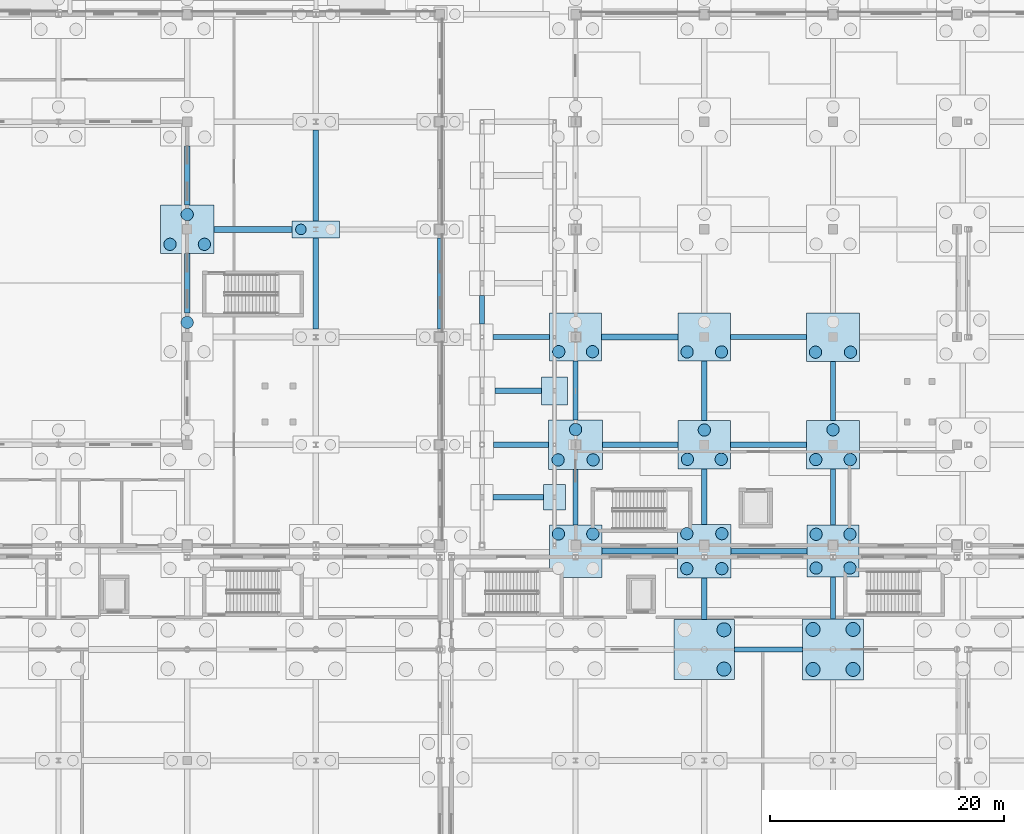
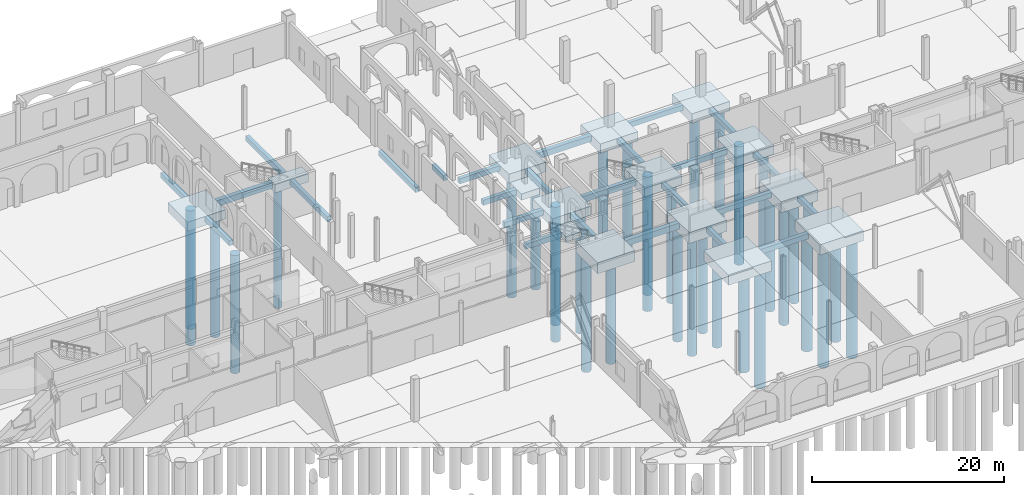
# One storey, part 8 of 83: 41 footings, 36 piles.
"""IFC4 building model written with IfcOpenShell, lengths in metres."""

from ifc_helpers import new_model, si_unit, direction, frame, origin, origin_2d, place, context, subcontext, project, spatial, polyline, circle, outline, extrude, material, material_profile, profile_set, type_object, element, save


model = new_model("IFC4")

# Units and contexts
model_context = context("Model", 3, precision=1e-05, world=origin(), true_north=direction((0.0, 1.0)))
body_context = subcontext(model_context, "Body", "Model", "MODEL_VIEW")
ifc_project = project(units=[si_unit("LENGTHUNIT", "METRE"), si_unit("AREAUNIT", "SQUARE_METRE"), si_unit("VOLUMEUNIT", "CUBIC_METRE"), si_unit("PLANEANGLEUNIT", "RADIAN"), si_unit("MASSUNIT", "GRAM", prefix="KILO")], contexts=[model_context])

# Site, building, storey
site_placement = place(None, origin())
site = spatial("IfcSite", under=ifc_project, at=site_placement, CompositionType="ELEMENT")
building_placement = place(site_placement, origin())
building = spatial("IfcBuilding", under=site, at=building_placement, Name="Caurita Quay Ferry Terminal", CompositionType="ELEMENT")
storey_placement = place(building_placement, origin())
storey = spatial("IfcBuildingStorey", under=building, at=storey_placement, Name="L00", CompositionType="ELEMENT", Elevation=0.0)

# Footings
ifc_material = material(Name="Marine reinforced concrete C40/50", Category="concrete")
footing_type_1 = type_object("IfcFootingType", Name="FTG-BM-01", PredefinedType="FOOTING_BEAM", material=ifc_material)
footing_1_placement = place(storey_placement, frame((0.0, 0.0, -1.14990234375)))
element("IfcFooting", 1, at=footing_1_placement, inside=storey, type_object=footing_type_1, Name="Seismic Tie Footing Beam FB-X-099", PredefinedType="FOOTING_BEAM", context=body_context, shape_type="SweptSolid", body=[
    extrude(outline(polyline([(101.449951171875, 70.85009765625), (107.925048828125, 70.85009765625), (107.925048828125, 71.35009765625), (101.449951171875, 71.35009765625), (101.449951171875, 70.85009765625)])), origin(), (0.0, 0.0, 1.0), 0.75),
])
footing_2_placement = place(storey_placement, frame((0.0, 0.0, -1.14990234375)))
element("IfcFooting", 2, at=footing_2_placement, inside=storey, type_object=footing_type_1, Name="Seismic Tie Footing Beam FB-X-117", PredefinedType="FOOTING_BEAM", context=body_context, shape_type="SweptSolid", body=[
    extrude(outline(polyline([(101.5, 79.949951171875), (107.949951171875, 79.949951171875), (107.949951171875, 80.449951171875), (101.5, 80.449951171875), (101.5, 79.949951171875)])), origin(), (0.0, 0.0, 1.0), 0.75),
])
footing_3_placement = place(storey_placement, frame((0.0, 0.0, -1.14990234375)))
element("IfcFooting", 3, at=footing_3_placement, inside=storey, type_object=footing_type_1, Name="Seismic Tie Footing Beam FB-X-131", PredefinedType="FOOTING_BEAM", context=body_context, shape_type="SweptSolid", body=[
    extrude(outline(polyline([(101.425048828125, 89.14990234375), (107.949951171875, 89.14990234375), (107.949951171875, 89.64990234375), (101.425048828125, 89.64990234375), (101.425048828125, 89.14990234375)])), origin(), (0.0, 0.0, 1.0), 0.75),
])
footing_4_placement = place(storey_placement, frame((0.0, 0.0, -1.14990234375)))
element("IfcFooting", 4, at=footing_4_placement, inside=storey, type_object=footing_type_1, Name="Seismic Tie Footing Beam FB-X-141", PredefinedType="FOOTING_BEAM", context=body_context, shape_type="SweptSolid", body=[
    extrude(outline(polyline([(68.27490234375, 98.35009765625), (74.97509765625, 98.35009765625), (74.97509765625, 98.85009765625), (68.27490234375, 98.85009765625), (68.27490234375, 98.35009765625)])), origin(), (0.0, 0.0, 1.0), 0.75),
])
footing_type_2 = type_object("IfcFootingType", Name="FTG-BM-02", PredefinedType="FOOTING_BEAM", material=ifc_material)
footing_5_placement = place(storey_placement, frame((0.0, 0.0, -1.050048828125)))
element("IfcFooting", 5, at=footing_5_placement, inside=storey, type_object=footing_type_2, Name="Seismic Tie Footing Beam FB-X-084", PredefinedType="FOOTING_BEAM", context=body_context, shape_type="SweptSolid", body=[
    extrude(outline(polyline([(112.77490234375, 62.47509765625), (118.60009765625, 62.47509765625), (118.60009765625, 62.925048828125), (112.77490234375, 62.925048828125), (112.77490234375, 62.47509765625)])), origin(), (0.0, 0.0, 1.0), 0.650146484375),
])
footing_6_placement = place(storey_placement, frame((0.0, 0.0, -1.050048828125)))
element("IfcFooting", 6, at=footing_6_placement, inside=storey, type_object=footing_type_2, Name="Seismic Tie Footing Beam FB-X-100", PredefinedType="FOOTING_BEAM", context=body_context, shape_type="SweptSolid", body=[
    extrude(outline(polyline([(112.47509765625, 70.875), (118.97509765625, 70.875), (118.97509765625, 71.324951171875), (112.47509765625, 71.324951171875), (112.47509765625, 70.875)])), origin(), (0.0, 0.0, 1.0), 0.650146484375),
])
footing_7_placement = place(storey_placement, frame((0.0, 0.0, -1.050048828125)))
element("IfcFooting", 7, at=footing_7_placement, inside=storey, type_object=footing_type_2, Name="Seismic Tie Footing Beam FB-X-106", PredefinedType="FOOTING_BEAM", context=body_context, shape_type="SweptSolid", body=[
    extrude(outline(polyline([(92.14990234375, 75.47509765625), (96.449951171875, 75.47509765625), (96.449951171875, 75.925048828125), (92.14990234375, 75.925048828125), (92.14990234375, 75.47509765625)])), origin(), (0.0, 0.0, 1.0), 0.650146484375),
])
footing_8_placement = place(storey_placement, frame((0.0, 0.0, -1.050048828125)))
element("IfcFooting", 8, at=footing_8_placement, inside=storey, type_object=footing_type_2, Name="Seismic Tie Footing Beam FB-X-116", PredefinedType="FOOTING_BEAM", context=body_context, shape_type="SweptSolid", body=[
    extrude(outline(polyline([(92.199951171875, 79.97509765625), (96.89990234375, 79.97509765625), (96.89990234375, 80.425048828125), (92.199951171875, 80.425048828125), (92.199951171875, 79.97509765625)])), origin(), (0.0, 0.0, 1.0), 0.650146484375),
])
footing_9_placement = place(storey_placement, frame((0.0, 0.0, -1.050048828125)))
element("IfcFooting", 9, at=footing_9_placement, inside=storey, type_object=footing_type_2, Name="Seismic Tie Footing Beam FB-X-118", PredefinedType="FOOTING_BEAM", context=body_context, shape_type="SweptSolid", body=[
    extrude(outline(polyline([(112.449951171875, 79.97509765625), (118.925048828125, 79.97509765625), (118.925048828125, 80.425048828125), (112.449951171875, 80.425048828125), (112.449951171875, 79.97509765625)])), origin(), (0.0, 0.0, 1.0), 0.650146484375),
])
footing_10_placement = place(storey_placement, frame((0.0, 0.0, -1.050048828125)))
element("IfcFooting", 10, at=footing_10_placement, inside=storey, type_object=footing_type_2, Name="Seismic Tie Footing Beam FB-X-124", PredefinedType="FOOTING_BEAM", context=body_context, shape_type="SweptSolid", body=[
    extrude(outline(polyline([(92.300048828125, 84.574951171875), (96.300048828125, 84.574951171875), (96.300048828125, 85.02490234375), (92.300048828125, 85.02490234375), (92.300048828125, 84.574951171875)])), origin(), (0.0, 0.0, 1.0), 0.650146484375),
])
footing_11_placement = place(storey_placement, frame((0.0, 0.0, -1.050048828125)))
element("IfcFooting", 11, at=footing_11_placement, inside=storey, type_object=footing_type_2, Name="Seismic Tie Footing Beam FB-X-130", PredefinedType="FOOTING_BEAM", context=body_context, shape_type="SweptSolid", body=[
    extrude(outline(polyline([(92.14990234375, 89.175048828125), (96.97509765625, 89.175048828125), (96.97509765625, 89.625), (92.14990234375, 89.625), (92.14990234375, 89.175048828125)])), origin(), (0.0, 0.0, 1.0), 0.650146484375),
])
footing_12_placement = place(storey_placement, frame((0.0, 0.0, -1.050048828125)))
element("IfcFooting", 12, at=footing_12_placement, inside=storey, type_object=footing_type_2, Name="Seismic Tie Footing Beam FB-X-132", PredefinedType="FOOTING_BEAM", context=body_context, shape_type="SweptSolid", body=[
    extrude(outline(polyline([(112.449951171875, 89.175048828125), (118.925048828125, 89.175048828125), (118.925048828125, 89.625), (112.449951171875, 89.625), (112.449951171875, 89.175048828125)])), origin(), (0.0, 0.0, 1.0), 0.650146484375),
])
footing_13_placement = place(storey_placement, frame((0.0, 0.0, -1.050048828125)))
element("IfcFooting", 13, at=footing_13_placement, inside=storey, type_object=footing_type_2, Name="Seismic Tie Footing Beam FB-Y-248", PredefinedType="FOOTING_BEAM", context=body_context, shape_type="SweptSolid", body=[
    extrude(outline(polyline([(65.77490234375, 91.449951171875), (66.22509765625, 91.449951171875), (66.22509765625, 96.52490234375), (65.77490234375, 96.52490234375), (65.77490234375, 91.449951171875)])), origin(), (0.0, 0.0, 1.0), 0.650146484375),
])
footing_14_placement = place(storey_placement, frame((0.0, 0.0, -1.050048828125)))
element("IfcFooting", 14, at=footing_14_placement, inside=storey, type_object=footing_type_2, Name="Seismic Tie Footing Beam FB-Y-249", PredefinedType="FOOTING_BEAM", context=body_context, shape_type="SweptSolid", body=[
    extrude(outline(polyline([(65.77490234375, 100.675048828125), (66.22509765625, 100.675048828125), (66.22509765625, 105.72509765625), (65.77490234375, 105.72509765625), (65.77490234375, 100.675048828125)])), origin(), (0.0, 0.0, 1.0), 0.650146484375),
])
footing_15_placement = place(storey_placement, frame((0.0, 0.0, -1.050048828125)))
element("IfcFooting", 15, at=footing_15_placement, inside=storey, type_object=footing_type_2, Name="Seismic Tie Footing Beam FB-Y-259", PredefinedType="FOOTING_BEAM", context=body_context, shape_type="SweptSolid", body=[
    extrude(outline(polyline([(76.77490234375, 90.10009765625), (77.22509765625, 90.10009765625), (77.22509765625, 97.875), (76.77490234375, 97.875), (76.77490234375, 90.10009765625)])), origin(), (0.0, 0.0, 1.0), 0.650146484375),
])
footing_16_placement = place(storey_placement, frame((0.0, 0.0, -1.050048828125)))
element("IfcFooting", 16, at=footing_16_placement, inside=storey, type_object=footing_type_2, Name="Seismic Tie Footing Beam FB-Y-260", PredefinedType="FOOTING_BEAM", context=body_context, shape_type="SweptSolid", body=[
    extrude(outline(polyline([(76.77490234375, 99.324951171875), (77.22509765625, 99.324951171875), (77.22509765625, 107.10009765625), (76.77490234375, 107.10009765625), (76.77490234375, 99.324951171875)])), origin(), (0.0, 0.0, 1.0), 0.650146484375),
])
footing_17_placement = place(storey_placement, frame((0.0, 0.0, -1.050048828125)))
element("IfcFooting", 17, at=footing_17_placement, inside=storey, type_object=footing_type_2, Name="Seismic Tie Footing Beam FB-Y-268", PredefinedType="FOOTING_BEAM", context=body_context, shape_type="SweptSolid", body=[
    extrude(outline(polyline([(87.375, 90.10009765625), (87.824951171875, 90.10009765625), (87.824951171875, 97.875), (87.375, 97.875), (87.375, 90.10009765625)])), origin(), (0.0, 0.0, 1.0), 0.650146484375),
])
footing_18_placement = place(storey_placement, frame((0.0, 0.0, -1.050048828125)))
element("IfcFooting", 18, at=footing_18_placement, inside=storey, type_object=footing_type_2, Name="Seismic Tie Footing Beam FB-Y-274", PredefinedType="FOOTING_BEAM", context=body_context, shape_type="SweptSolid", body=[
    extrude(outline(polyline([(90.97509765625, 90.5), (91.425048828125, 90.5), (91.425048828125, 92.949951171875), (90.97509765625, 92.949951171875), (90.97509765625, 90.5)])), origin(), (0.0, 0.0, 1.0), 0.650146484375),
])
footing_19_placement = place(storey_placement, frame((0.0, 0.0, -1.050048828125)))
element("IfcFooting", 19, at=footing_19_placement, inside=storey, type_object=footing_type_2, Name="Seismic Tie Footing Beam FB-Y-282", PredefinedType="FOOTING_BEAM", context=body_context, shape_type="SweptSolid", body=[
    extrude(outline(polyline([(98.97509765625, 73.35009765625), (99.425048828125, 73.35009765625), (99.425048828125, 78.10009765625), (98.97509765625, 78.10009765625), (98.97509765625, 73.35009765625)])), origin(), (0.0, 0.0, 1.0), 0.650146484375),
])
footing_20_placement = place(storey_placement, frame((0.0, 0.0, -1.050048828125)))
element("IfcFooting", 20, at=footing_20_placement, inside=storey, type_object=footing_type_2, Name="Seismic Tie Footing Beam FB-Y-283", PredefinedType="FOOTING_BEAM", context=body_context, shape_type="SweptSolid", body=[
    extrude(outline(polyline([(98.97509765625, 82.300048828125), (99.425048828125, 82.300048828125), (99.425048828125, 87.35009765625), (98.97509765625, 87.35009765625), (98.97509765625, 82.300048828125)])), origin(), (0.0, 0.0, 1.0), 0.650146484375),
])
footing_21_placement = place(storey_placement, frame((0.0, 0.0, -1.050048828125)))
element("IfcFooting", 21, at=footing_21_placement, inside=storey, type_object=footing_type_2, Name="Seismic Tie Footing Beam FB-Y-290", PredefinedType="FOOTING_BEAM", context=body_context, shape_type="SweptSolid", body=[
    extrude(outline(polyline([(109.97509765625, 65.27490234375), (110.425048828125, 65.27490234375), (110.425048828125, 68.824951171875), (109.97509765625, 68.824951171875), (109.97509765625, 65.27490234375)])), origin(), (0.0, 0.0, 1.0), 0.650146484375),
])
footing_22_placement = place(storey_placement, frame((0.0, 0.0, -1.050048828125)))
element("IfcFooting", 22, at=footing_22_placement, inside=storey, type_object=footing_type_2, Name="Seismic Tie Footing Beam FB-Y-291", PredefinedType="FOOTING_BEAM", context=body_context, shape_type="SweptSolid", body=[
    extrude(outline(polyline([(109.97509765625, 73.375), (110.425048828125, 73.375), (110.425048828125, 78.125), (109.97509765625, 78.125), (109.97509765625, 73.375)])), origin(), (0.0, 0.0, 1.0), 0.650146484375),
])
footing_23_placement = place(storey_placement, frame((0.0, 0.0, -1.050048828125)))
element("IfcFooting", 23, at=footing_23_placement, inside=storey, type_object=footing_type_2, Name="Seismic Tie Footing Beam FB-Y-292", PredefinedType="FOOTING_BEAM", context=body_context, shape_type="SweptSolid", body=[
    extrude(outline(polyline([(109.97509765625, 82.27490234375), (110.425048828125, 82.27490234375), (110.425048828125, 87.35009765625), (109.97509765625, 87.35009765625), (109.97509765625, 82.27490234375)])), origin(), (0.0, 0.0, 1.0), 0.650146484375),
])
footing_24_placement = place(storey_placement, frame((0.0, 0.0, -1.050048828125)))
element("IfcFooting", 24, at=footing_24_placement, inside=storey, type_object=footing_type_2, Name="Seismic Tie Footing Beam FB-Y-299", PredefinedType="FOOTING_BEAM", context=body_context, shape_type="SweptSolid", body=[
    extrude(outline(polyline([(120.97509765625, 65.300048828125), (121.425048828125, 65.300048828125), (121.425048828125, 68.875), (120.97509765625, 68.875), (120.97509765625, 65.300048828125)])), origin(), (0.0, 0.0, 1.0), 0.650146484375),
])
footing_25_placement = place(storey_placement, frame((0.0, 0.0, -1.050048828125)))
element("IfcFooting", 25, at=footing_25_placement, inside=storey, type_object=footing_type_2, Name="Seismic Tie Footing Beam FB-Y-300", PredefinedType="FOOTING_BEAM", context=body_context, shape_type="SweptSolid", body=[
    extrude(outline(polyline([(120.97509765625, 73.324951171875), (121.425048828125, 73.324951171875), (121.425048828125, 78.125), (120.97509765625, 78.125), (120.97509765625, 73.324951171875)])), origin(), (0.0, 0.0, 1.0), 0.650146484375),
])
footing_26_placement = place(storey_placement, frame((0.0, 0.0, -1.050048828125)))
element("IfcFooting", 26, at=footing_26_placement, inside=storey, type_object=footing_type_2, Name="Seismic Tie Footing Beam FB-Y-301", PredefinedType="FOOTING_BEAM", context=body_context, shape_type="SweptSolid", body=[
    extrude(outline(polyline([(120.97509765625, 82.27490234375), (121.425048828125, 82.27490234375), (121.425048828125, 87.324951171875), (120.97509765625, 87.324951171875), (120.97509765625, 82.27490234375)])), origin(), (0.0, 0.0, 1.0), 0.650146484375),
])
footing_type_3 = type_object("IfcFootingType", Name="FTG-PAD-03", PredefinedType="PAD_FOOTING", material=ifc_material)
footing_27_placement = place(storey_placement, frame((0.0, 0.0, -1.10009765625)))
element("IfcFooting", 27, at=footing_27_placement, inside=storey, type_object=footing_type_3, Name="Pad Footing PF-15", PredefinedType="PAD_FOOTING", context=body_context, shape_type="SweptSolid", body=[
    extrude(outline(polyline([(96.449951171875, 74.60009765625), (98.35009765625, 74.60009765625), (98.35009765625, 76.800048828125), (96.449951171875, 76.800048828125), (96.449951171875, 74.60009765625)])), origin(), (0.0, 0.0, 1.0), 0.7001953125),
])
footing_type_4 = type_object("IfcFootingType", Name="FTG-PAD-04", PredefinedType="PAD_FOOTING", material=ifc_material)
footing_28_placement = place(storey_placement, frame((0.0, 0.0, -1.199951171875)))
element("IfcFooting", 28, at=footing_28_placement, inside=storey, type_object=footing_type_4, Name="Pad Footing PF-16", PredefinedType="PAD_FOOTING", context=body_context, shape_type="SweptSolid", body=[
    extrude(outline(polyline([(96.300048828125, 83.60009765625), (98.5, 83.60009765625), (98.5, 86.0), (96.300048828125, 86.0), (96.300048828125, 83.60009765625)])), origin(), (0.0, 0.0, 1.0), 0.800048828125),
])
footing_type_5 = type_object("IfcFootingType", Name="FTG-PC-02", PredefinedType="PILE_CAP", material=ifc_material)
footing_29_placement = place(storey_placement, frame((0.0, 0.0, -1.550048828125)))
element("IfcFooting", 29, at=footing_29_placement, inside=storey, type_object=footing_type_5, Name="Pile Cap PC-062", PredefinedType="PILE_CAP", context=body_context, shape_type="SweptSolid", body=[
    extrude(outline(polyline([(63.72509765625, 96.52490234375), (68.27490234375, 96.52490234375), (68.27490234375, 100.675048828125), (63.72509765625, 100.675048828125), (63.72509765625, 96.52490234375)])), origin(), (0.0, 0.0, 1.0), 1.150146484375),
])
footing_30_placement = place(storey_placement, frame((0.0, 0.0, -1.550048828125)))
element("IfcFooting", 30, at=footing_30_placement, inside=storey, type_object=footing_type_5, Name="Pile Cap PC-110", PredefinedType="PILE_CAP", context=body_context, shape_type="SweptSolid", body=[
    extrude(outline(polyline([(118.925048828125, 78.125), (123.47509765625, 78.125), (123.47509765625, 82.27490234375), (118.925048828125, 82.27490234375), (118.925048828125, 78.125)])), origin(), (0.0, 0.0, 1.0), 1.150146484375),
])
footing_type_6 = type_object("IfcFootingType", Name="FTG-PC-03", PredefinedType="PILE_CAP", material=ifc_material)
footing_31_placement = place(storey_placement, frame((0.0, 0.0, -1.60009765625)))
element("IfcFooting", 31, at=footing_31_placement, inside=storey, type_object=footing_type_6, Name="Pile Cap PC-111", PredefinedType="PILE_CAP", context=body_context, shape_type="SweptSolid", body=[
    extrude(outline(polyline([(118.925048828125, 87.324951171875), (123.47509765625, 87.324951171875), (123.47509765625, 91.47509765625), (118.925048828125, 91.47509765625), (118.925048828125, 87.324951171875)])), origin(), (0.0, 0.0, 1.0), 1.2001953125),
])
footing_type_7 = type_object("IfcFootingType", Name="FTG-PC-07", PredefinedType="PILE_CAP", material=ifc_material)
footing_32_placement = place(storey_placement, frame((0.0, 0.0, -1.800048828125)))
element("IfcFooting", 32, at=footing_32_placement, inside=storey, type_object=footing_type_7, Name="Pile Cap PC-109", PredefinedType="PILE_CAP", context=body_context, shape_type="SweptSolid", body=[
    extrude(outline(polyline([(118.97509765625, 68.875), (123.425048828125, 68.875), (123.425048828125, 73.324951171875), (118.97509765625, 73.324951171875), (118.97509765625, 68.875)])), origin(), (0.0, 0.0, 1.0), 1.400146484375),
])
footing_type_8 = type_object("IfcFootingType", Name="FTG-PC-09", PredefinedType="PILE_CAP", material=ifc_material)
footing_33_placement = place(storey_placement, frame((0.0, 0.0, -1.800048828125)))
element("IfcFooting", 33, at=footing_33_placement, inside=storey, type_object=footing_type_8, Name="Pile Cap PC-099", PredefinedType="PILE_CAP", context=body_context, shape_type="SweptSolid", body=[
    extrude(outline(polyline([(107.925048828125, 68.824951171875), (112.47509765625, 68.824951171875), (112.47509765625, 73.375), (107.925048828125, 73.375), (107.925048828125, 68.824951171875)])), origin(), (0.0, 0.0, 1.0), 1.400146484375),
])
footing_type_9 = type_object("IfcFootingType", Name="FTG-PC-12", PredefinedType="PILE_CAP", material=ifc_material)
footing_34_placement = place(storey_placement, frame((0.0, 0.0, -1.449951171875)))
element("IfcFooting", 34, at=footing_34_placement, inside=storey, type_object=footing_type_9, Name="Pile Cap PC-072", PredefinedType="PILE_CAP", context=body_context, shape_type="SweptSolid", body=[
    extrude(outline(polyline([(74.97509765625, 97.875), (79.02490234375, 97.875), (79.02490234375, 99.324951171875), (74.97509765625, 99.324951171875), (74.97509765625, 97.875)])), origin(), (0.0, 0.0, 1.0), 1.050048828125),
])
footing_type_10 = type_object("IfcFootingType", Name="FTG-PC-14", PredefinedType="PILE_CAP", material=ifc_material)
footing_35_placement = place(storey_placement, frame((0.0, 0.0, -1.699951171875)))
element("IfcFooting", 35, at=footing_35_placement, inside=storey, type_object=footing_type_10, Name="Pile Cap PC-098", PredefinedType="PILE_CAP", context=body_context, shape_type="SweptSolid", body=[
    extrude(outline(polyline([(107.625, 60.125), (112.77490234375, 60.125), (112.77490234375, 65.27490234375), (107.625, 65.27490234375), (107.625, 60.125)])), origin(), (0.0, 0.0, 1.0), 1.300048828125),
])
footing_type_11 = type_object("IfcFootingType", Name="FTG-PC-16", PredefinedType="PILE_CAP", material=ifc_material)
footing_36_placement = place(storey_placement, frame((0.0, 0.0, -1.800048828125)))
element("IfcFooting", 36, at=footing_36_placement, inside=storey, type_object=footing_type_11, Name="Pile Cap PC-089", PredefinedType="PILE_CAP", context=body_context, shape_type="SweptSolid", body=[
    extrude(outline(polyline([(96.949951171875, 68.85009765625), (101.449951171875, 68.85009765625), (101.449951171875, 73.35009765625), (96.949951171875, 73.35009765625), (96.949951171875, 68.85009765625)])), origin(), (0.0, 0.0, 1.0), 1.400146484375),
])
footing_type_12 = type_object("IfcFootingType", Name="FTG-PC-20", PredefinedType="PILE_CAP", material=ifc_material)
footing_37_placement = place(storey_placement, frame((0.0, 0.0, -1.699951171875)))
element("IfcFooting", 37, at=footing_37_placement, inside=storey, type_object=footing_type_12, Name="Pile Cap PC-108", PredefinedType="PILE_CAP", context=body_context, shape_type="SweptSolid", body=[
    extrude(outline(polyline([(118.60009765625, 60.10009765625), (123.800048828125, 60.10009765625), (123.800048828125, 65.300048828125), (118.60009765625, 65.300048828125), (118.60009765625, 60.10009765625)])), origin(), (0.0, 0.0, 1.0), 1.300048828125),
])
footing_type_13 = type_object("IfcFootingType", Name="FTG-PC-24", PredefinedType="PILE_CAP", material=ifc_material)
footing_38_placement = place(storey_placement, frame((0.0, 0.0, -1.60009765625)))
element("IfcFooting", 38, at=footing_38_placement, inside=storey, type_object=footing_type_13, Name="Pile Cap PC-091", PredefinedType="PILE_CAP", context=body_context, shape_type="SweptSolid", body=[
    extrude(outline(polyline([(96.97509765625, 87.35009765625), (101.425048828125, 87.35009765625), (101.425048828125, 91.449951171875), (96.97509765625, 91.449951171875), (96.97509765625, 87.35009765625)])), origin(), (0.0, 0.0, 1.0), 1.2001953125),
])
footing_type_14 = type_object("IfcFootingType", Name="FTG-PC-25", PredefinedType="PILE_CAP", material=ifc_material)
footing_39_placement = place(storey_placement, frame((0.0, 0.0, -1.550048828125)))
element("IfcFooting", 39, at=footing_39_placement, inside=storey, type_object=footing_type_14, Name="Pile Cap PC-100", PredefinedType="PILE_CAP", context=body_context, shape_type="SweptSolid", body=[
    extrude(outline(polyline([(107.949951171875, 78.125), (112.449951171875, 78.125), (112.449951171875, 82.27490234375), (107.949951171875, 82.27490234375), (107.949951171875, 78.125)])), origin(), (0.0, 0.0, 1.0), 1.150146484375),
])
footing_type_15 = type_object("IfcFootingType", Name="FTG-PC-26", PredefinedType="PILE_CAP", material=ifc_material)
footing_40_placement = place(storey_placement, frame((0.0, 0.0, -1.60009765625)))
element("IfcFooting", 40, at=footing_40_placement, inside=storey, type_object=footing_type_15, Name="Pile Cap PC-101", PredefinedType="PILE_CAP", context=body_context, shape_type="SweptSolid", body=[
    extrude(outline(polyline([(107.949951171875, 87.35009765625), (112.449951171875, 87.35009765625), (112.449951171875, 91.449951171875), (107.949951171875, 91.449951171875), (107.949951171875, 87.35009765625)])), origin(), (0.0, 0.0, 1.0), 1.2001953125),
])
footing_type_16 = type_object("IfcFootingType", Name="FTG-PC-27", PredefinedType="PILE_CAP", material=ifc_material)
footing_41_placement = place(storey_placement, frame((0.0, 0.0, -1.550048828125)))
element("IfcFooting", 41, at=footing_41_placement, inside=storey, type_object=footing_type_16, Name="Pile Cap PC-090", PredefinedType="PILE_CAP", context=body_context, shape_type="SweptSolid", body=[
    extrude(outline(polyline([(96.89990234375, 78.10009765625), (101.5, 78.10009765625), (101.5, 82.300048828125), (96.89990234375, 82.300048828125), (96.89990234375, 78.10009765625)])), origin(), (0.0, 0.0, 1.0), 1.150146484375),
])

# Piles
ifc_material_profile_1 = material_profile(ifc_material, circle(Radius=0.52490234375, at=origin_2d()), Name="PILE-D1050")
ifc_profile_set_1 = profile_set([ifc_material_profile_1], Name="Marine reinforced concrete C40/50")
pile_type_1 = type_object("IfcPileType", Name="TYPE-PL-1050", PredefinedType="BORED", material=ifc_profile_set_1)
pile_1_placement = place(storey_placement, frame((66.0, 90.65087890625, -1.5), z_axis=(0.0, 0.0, -1.0), x_axis=(1.0, 0.0, 0.0)))
element("IfcPile", 42, at=pile_1_placement, inside=storey, type_object=pile_type_1, Name="Bored Marine Pile PC-061-P3", PredefinedType="BORED", context=body_context, shape_type="SweptSolid", body=[
    extrude(circle(Radius=0.52490234375, at=origin_2d()), origin(), (0.0, 0.0, 1.0), 15.0),
])
for number, where, z_axis, x_axis, name in (
    (43, (64.530029296875, 97.326904296875, -1.449951171875), (0.0, 0.0, -1.0), (1.0, 0.0, 0.0), "Bored Marine Pile PC-062-P1"),
    (44, (67.469970703125, 97.326904296875, -1.449951171875), (0.0, 0.0, -1.0), (1.0, 0.0, 0.0), "Bored Marine Pile PC-062-P2"),
    (45, (66.0, 99.873046875, -1.449951171875), (0.0, 0.0, -1.0), (1.0, 0.0, 0.0), "Bored Marine Pile PC-062-P3"),
):
    element("IfcPile", number, at=place(storey_placement, frame(where, z_axis=z_axis, x_axis=x_axis)), inside=storey, type_object=pile_type_1, Name=name, PredefinedType="BORED", context=body_context, shape_type="SweptSolid", body=[
        extrude(circle(Radius=0.52490234375, at=origin_2d()), origin(), (0.0, 0.0, 1.0), 15.050048828125),
    ])
for number, where, z_axis, x_axis, name in (
    (46, (97.72998046875, 72.570068359375, -1.699951171875), (0.0, 0.0, -1.0), (1.0, 0.0, 0.0), "Bored Marine Pile PC-089-P3"),
    (47, (100.669921875, 72.570068359375, -1.699951171875), (0.0, 0.0, -1.0), (1.0, 0.0, 0.0), "Bored Marine Pile PC-089-P4"),
):
    element("IfcPile", number, at=place(storey_placement, frame(where, z_axis=z_axis, x_axis=x_axis)), inside=storey, type_object=pile_type_1, Name=name, PredefinedType="BORED", context=body_context, shape_type="SweptSolid", body=[
        extrude(circle(Radius=0.52490234375, at=origin_2d()), origin(), (0.0, 0.0, 1.0), 14.800048828125),
    ])
for number, where, z_axis, x_axis, name in (
    (48, (97.7041015625, 78.904052734375, -1.449951171875), (0.0, 0.0, -1.0), (1.0, 0.0, 0.0), "Bored Marine Pile PC-090-P1"),
    (49, (100.697021484375, 78.904052734375, -1.449951171875), (0.0, 0.0, -1.0), (1.0, 0.0, 0.0), "Bored Marine Pile PC-090-P2"),
    (50, (99.199951171875, 81.49609375, -1.449951171875), (0.0, 0.0, -1.0), (1.0, 0.0, 0.0), "Bored Marine Pile PC-090-P3"),
):
    element("IfcPile", number, at=place(storey_placement, frame(where, z_axis=z_axis, x_axis=x_axis)), inside=storey, type_object=pile_type_1, Name=name, PredefinedType="BORED", context=body_context, shape_type="SweptSolid", body=[
        extrude(circle(Radius=0.52490234375, at=origin_2d()), origin(), (0.0, 0.0, 1.0), 15.050048828125),
    ])
for number, where, z_axis, x_axis, name in (
    (51, (97.756103515625, 88.14892578125, -1.5), (0.0, 0.0, -1.0), (1.0, 0.0, 0.0), "Bored Marine Pile PC-091-P1"),
    (52, (100.64404296875, 88.14892578125, -1.5), (0.0, 0.0, -1.0), (1.0, 0.0, 0.0), "Bored Marine Pile PC-091-P2"),
):
    element("IfcPile", number, at=place(storey_placement, frame(where, z_axis=z_axis, x_axis=x_axis)), inside=storey, type_object=pile_type_1, Name=name, PredefinedType="BORED", context=body_context, shape_type="SweptSolid", body=[
        extrude(circle(Radius=0.52490234375, at=origin_2d()), origin(), (0.0, 0.0, 1.0), 15.0),
    ])
for number, where, z_axis, x_axis, name in (
    (53, (108.7041015625, 69.60302734375, -1.699951171875), (0.0, 0.0, -1.0), (1.0, 0.0, 0.0), "Bored Marine Pile PC-099-P1"),
    (54, (111.697021484375, 69.60302734375, -1.699951171875), (0.0, 0.0, -1.0), (1.0, 0.0, 0.0), "Bored Marine Pile PC-099-P2"),
    (55, (108.7041015625, 72.595947265625, -1.699951171875), (0.0, 0.0, -1.0), (1.0, 0.0, 0.0), "Bored Marine Pile PC-099-P3"),
    (56, (111.697021484375, 72.595947265625, -1.699951171875), (0.0, 0.0, -1.0), (1.0, 0.0, 0.0), "Bored Marine Pile PC-099-P4"),
):
    element("IfcPile", number, at=place(storey_placement, frame(where, z_axis=z_axis, x_axis=x_axis)), inside=storey, type_object=pile_type_1, Name=name, PredefinedType="BORED", context=body_context, shape_type="SweptSolid", body=[
        extrude(circle(Radius=0.52490234375, at=origin_2d()), origin(), (0.0, 0.0, 1.0), 14.800048828125),
    ])
for number, where, z_axis, x_axis, name in (
    (57, (108.756103515625, 78.948974609375, -1.449951171875), (0.0, 0.0, -1.0), (1.0, 0.0, 0.0), "Bored Marine Pile PC-100-P1"),
    (58, (111.64404296875, 78.948974609375, -1.449951171875), (0.0, 0.0, -1.0), (1.0, 0.0, 0.0), "Bored Marine Pile PC-100-P2"),
    (59, (110.199951171875, 81.450927734375, -1.449951171875), (0.0, 0.0, -1.0), (1.0, 0.0, 0.0), "Bored Marine Pile PC-100-P3"),
):
    element("IfcPile", number, at=place(storey_placement, frame(where, z_axis=z_axis, x_axis=x_axis)), inside=storey, type_object=pile_type_1, Name=name, PredefinedType="BORED", context=body_context, shape_type="SweptSolid", body=[
        extrude(circle(Radius=0.52490234375, at=origin_2d()), origin(), (0.0, 0.0, 1.0), 15.050048828125),
    ])
for number, where, z_axis, x_axis, name in (
    (60, (108.72998046875, 88.126953125, -1.5), (0.0, 0.0, -1.0), (1.0, 0.0, 0.0), "Bored Marine Pile PC-101-P1"),
    (61, (111.669921875, 88.126953125, -1.5), (0.0, 0.0, -1.0), (1.0, 0.0, 0.0), "Bored Marine Pile PC-101-P2"),
):
    element("IfcPile", number, at=place(storey_placement, frame(where, z_axis=z_axis, x_axis=x_axis)), inside=storey, type_object=pile_type_1, Name=name, PredefinedType="BORED", context=body_context, shape_type="SweptSolid", body=[
        extrude(circle(Radius=0.52490234375, at=origin_2d()), origin(), (0.0, 0.0, 1.0), 15.0),
    ])
for number, where, z_axis, x_axis, name in (
    (62, (119.756103515625, 69.656005859375, -1.699951171875), (0.0, 0.0, -1.0), (1.0, 0.0, 0.0), "Bored Marine Pile PC-109-P1"),
    (63, (122.64404296875, 69.656005859375, -1.699951171875), (0.0, 0.0, -1.0), (1.0, 0.0, 0.0), "Bored Marine Pile PC-109-P2"),
    (64, (119.756103515625, 72.5439453125, -1.699951171875), (0.0, 0.0, -1.0), (1.0, 0.0, 0.0), "Bored Marine Pile PC-109-P3"),
    (65, (122.64404296875, 72.5439453125, -1.699951171875), (0.0, 0.0, -1.0), (1.0, 0.0, 0.0), "Bored Marine Pile PC-109-P4"),
):
    element("IfcPile", number, at=place(storey_placement, frame(where, z_axis=z_axis, x_axis=x_axis)), inside=storey, type_object=pile_type_1, Name=name, PredefinedType="BORED", context=body_context, shape_type="SweptSolid", body=[
        extrude(circle(Radius=0.52490234375, at=origin_2d()), origin(), (0.0, 0.0, 1.0), 14.800048828125),
    ])
for number, where, z_axis, x_axis, name in (
    (66, (119.72998046875, 78.927001953125, -1.449951171875), (0.0, 0.0, -1.0), (1.0, 0.0, 0.0), "Bored Marine Pile PC-110-P1"),
    (67, (122.669921875, 78.927001953125, -1.449951171875), (0.0, 0.0, -1.0), (1.0, 0.0, 0.0), "Bored Marine Pile PC-110-P2"),
    (68, (121.199951171875, 81.472900390625, -1.449951171875), (0.0, 0.0, -1.0), (1.0, 0.0, 0.0), "Bored Marine Pile PC-110-P3"),
):
    element("IfcPile", number, at=place(storey_placement, frame(where, z_axis=z_axis, x_axis=x_axis)), inside=storey, type_object=pile_type_1, Name=name, PredefinedType="BORED", context=body_context, shape_type="SweptSolid", body=[
        extrude(circle(Radius=0.52490234375, at=origin_2d()), origin(), (0.0, 0.0, 1.0), 15.050048828125),
    ])
for number, where, z_axis, x_axis, name in (
    (69, (119.7041015625, 88.10400390625, -1.5), (0.0, 0.0, -1.0), (1.0, 0.0, 0.0), "Bored Marine Pile PC-111-P1"),
    (70, (122.697021484375, 88.10400390625, -1.5), (0.0, 0.0, -1.0), (1.0, 0.0, 0.0), "Bored Marine Pile PC-111-P2"),
):
    element("IfcPile", number, at=place(storey_placement, frame(where, z_axis=z_axis, x_axis=x_axis)), inside=storey, type_object=pile_type_1, Name=name, PredefinedType="BORED", context=body_context, shape_type="SweptSolid", body=[
        extrude(circle(Radius=0.52490234375, at=origin_2d()), origin(), (0.0, 0.0, 1.0), 15.0),
    ])
ifc_material_profile_2 = material_profile(ifc_material, circle(Radius=0.60009765625, at=origin_2d()), Name="PILE-D1200")
ifc_profile_set_2 = profile_set([ifc_material_profile_2], Name="Marine reinforced concrete C40/50")
pile_type_2 = type_object("IfcPileType", Name="TYPE-PL-1200", PredefinedType="BORED", material=ifc_profile_set_2)
for number, where, z_axis, x_axis, name in (
    (71, (111.8798828125, 61.02001953125, -1.60009765625), (0.0, 0.0, -1.0), (1.0, 0.0, 0.0), "Bored Marine Pile PC-098-P2"),
    (72, (111.8798828125, 64.3798828125, -1.60009765625), (0.0, 0.0, -1.0), (1.0, 0.0, 0.0), "Bored Marine Pile PC-098-P4"),
    (73, (119.489990234375, 60.989990234375, -1.60009765625), (0.0, 0.0, -1.0), (1.0, 0.0, 0.0), "Bored Marine Pile PC-108-P1"),
    (74, (122.909912109375, 60.989990234375, -1.60009765625), (0.0, 0.0, -1.0), (1.0, 0.0, 0.0), "Bored Marine Pile PC-108-P2"),
    (75, (119.489990234375, 64.409912109375, -1.60009765625), (0.0, 0.0, -1.0), (1.0, 0.0, 0.0), "Bored Marine Pile PC-108-P3"),
    (76, (122.909912109375, 64.409912109375, -1.60009765625), (0.0, 0.0, -1.0), (1.0, 0.0, 0.0), "Bored Marine Pile PC-108-P4"),
):
    element("IfcPile", number, at=place(storey_placement, frame(where, z_axis=z_axis, x_axis=x_axis)), inside=storey, type_object=pile_type_2, Name=name, PredefinedType="BORED", context=body_context, shape_type="SweptSolid", body=[
        extrude(circle(Radius=0.60009765625, at=origin_2d()), origin(), (0.0, 0.0, 1.0), 14.89990234375),
    ])
ifc_material_profile_3 = material_profile(ifc_material, circle(Radius=0.449951171875, at=origin_2d()), Name="PILE-D900")
ifc_profile_set_3 = profile_set([ifc_material_profile_3], Name="Marine reinforced concrete C40/50")
pile_type_3 = type_object("IfcPileType", Name="TYPE-PL-900", PredefinedType="BORED", material=ifc_profile_set_3)
pile_2_placement = place(storey_placement, frame((75.718017578125, 98.60009765625, -1.35009765625), z_axis=(0.0, 0.0, -1.0), x_axis=(1.0, 0.0, 0.0)))
element("IfcPile", 77, at=pile_2_placement, inside=storey, type_object=pile_type_3, Name="Bored Marine Pile PC-072-P1", PredefinedType="BORED", context=body_context, shape_type="SweptSolid", body=[
    extrude(circle(Radius=0.449951171875, at=origin_2d()), origin(), (0.0, 0.0, 1.0), 15.14990234375),
])

save(model, "model.ifc")
